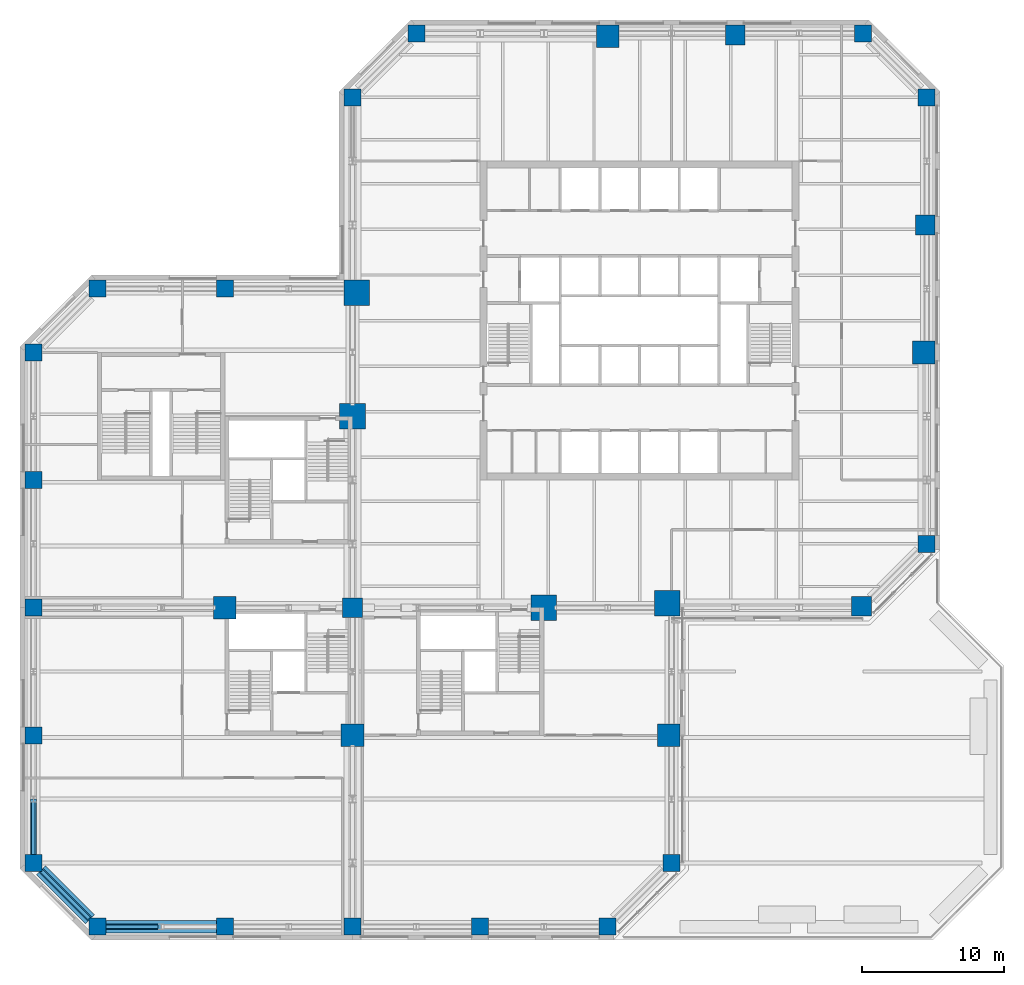
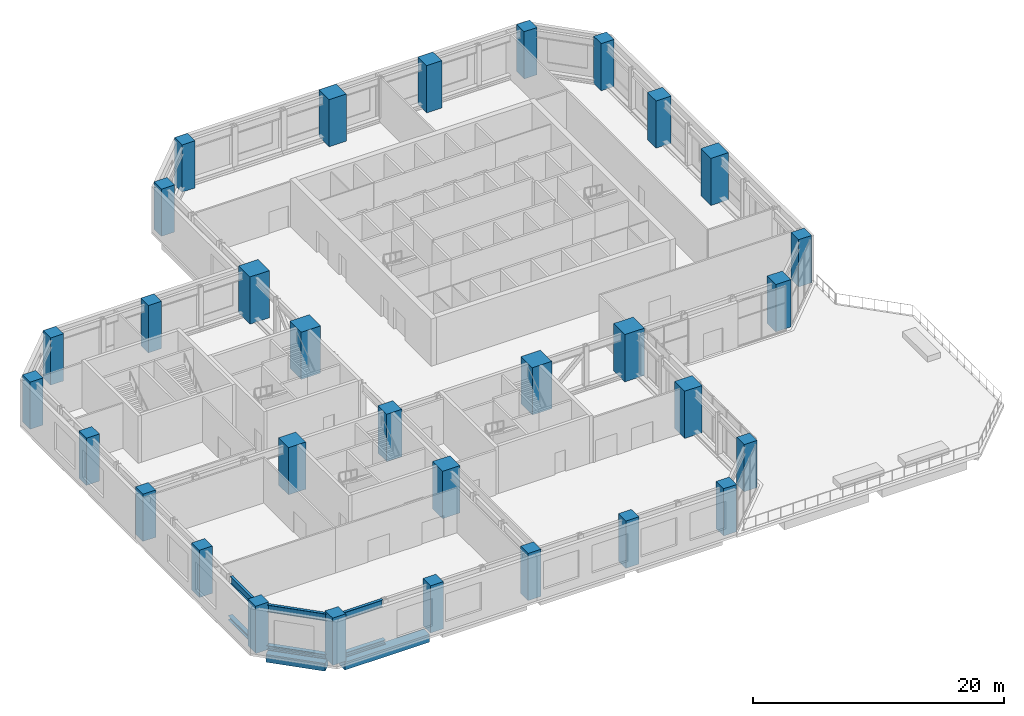
# One storey, part 1 of 21: 31 columns, 5 beams, 3 members.
"""IFC4 building model written with IfcOpenShell, lengths in metres."""

from ifc_helpers import new_model, si_unit, direction, frame, origin, origin_2d, place, context, subcontext, project, spatial, rectangle, i_section, extrude, material, material_profile, profile_set, type_object, element, save


model = new_model("IFC4")

# Units and contexts
model_context = context("Model", 3, precision=1e-05, world=origin(), true_north=direction((0.0, 1.0)))
body_context = subcontext(model_context, "Body", "Model", "MODEL_VIEW")
ifc_project = project(units=[si_unit("LENGTHUNIT", "METRE"), si_unit("AREAUNIT", "SQUARE_METRE"), si_unit("VOLUMEUNIT", "CUBIC_METRE"), si_unit("PLANEANGLEUNIT", "RADIAN"), si_unit("MASSUNIT", "GRAM", prefix="KILO")], contexts=[model_context])

# Site, building, storey
site_placement = place(None, origin())
site = spatial("IfcSite", under=ifc_project, at=site_placement, CompositionType="ELEMENT")
building_placement = place(site_placement, origin())
building = spatial("IfcBuilding", under=site, at=building_placement, Name="Quoin Convention Tower", CompositionType="ELEMENT")
storey_placement = place(building_placement, frame((0.0, 0.0, 18.5)))
storey = spatial("IfcBuildingStorey", under=building, at=storey_placement, Name="L03", CompositionType="ELEMENT", Elevation=18.5)

# Columns
ifc_material_1 = material(Name="Concrete C80", Category="concrete")
ifc_material_profile_1 = material_profile(ifc_material_1, rectangle(XDim=1.199951171875, YDim=1.199951171875, at=origin_2d()), Name="RC 1200x1200")
ifc_profile_set_1 = profile_set([ifc_material_profile_1], Name="Concrete C80")
column_type_1 = type_object("IfcColumnType", Name="RC 1200x1200 C80", PredefinedType="COLUMN", material=ifc_profile_set_1)
for number, where, z_axis, x_axis, name in (
    (1, (18.0, 18.0, 0.0), (0.0, 0.0, 1.0), (1.0, 0.0, 0.0), "col-L03-18000_18000"),
    (2, (27.0, 18.0, 0.0), (0.0, 0.0, 1.0), (1.0, 0.0, 0.0), "col-L03-27000_18000"),
    (3, (36.0, 18.0, 0.0), (0.0, 0.0, 1.0), (1.0, 0.0, 0.0), "col-L03-36000_18000"),
    (4, (45.0, 18.0, 0.0), (0.0, 0.0, 1.0), (1.0, 0.0, 0.0), "col-L03-45000_18000"),
    (5, (54.0, 18.0, 0.0), (0.0, 0.0, 1.0), (1.0, 0.0, 0.0), "col-L03-54000_18000"),
    (6, (13.5, 22.5, 0.0), (0.0, 0.0, 1.0), (1.0, 0.0, 0.0), "col-L03-13500_22500"),
    (7, (58.5, 22.5, 0.0), (0.0, 0.0, 1.0), (1.0, 0.0, 0.0), "col-L03-58500_22500"),
    (8, (13.5, 31.5, 0.0), (0.0, 0.0, 1.0), (1.0, 0.0, 0.0), "col-L03-13500_31500"),
    (9, (13.5, 40.5, 0.0), (0.0, 0.0, 1.0), (1.0, 0.0, 0.0), "col-L03-13500_40500"),
    (10, (76.5, 45.0, 0.0), (0.0, 0.0, 1.0), (1.0, 0.0, 0.0), "col-L03-76500_45000"),
    (11, (13.5, 49.5, 0.0), (0.0, 0.0, 1.0), (1.0, 0.0, 0.0), "col-L03-13500_49500"),
    (12, (13.5, 58.5, 0.0), (0.0, 0.0, 1.0), (1.0, 0.0, 0.0), "col-L03-13500_58500"),
    (13, (18.0, 63.0, 0.0), (0.0, 0.0, 1.0), (1.0, 0.0, 0.0), "col-L03-18000_63000"),
    (14, (27.0, 63.0, 0.0), (0.0, 0.0, 1.0), (1.0, 0.0, 0.0), "col-L03-27000_63000"),
    (15, (36.0, 76.5, 0.0), (0.0, 0.0, 1.0), (1.0, 0.0, 0.0), "col-L03-36000_76500"),
    (16, (76.5, 76.5, 0.0), (0.0, 0.0, 1.0), (1.0, 0.0, 0.0), "col-L03-76500_76500"),
    (17, (40.5, 81.0, 0.0), (0.0, 0.0, 1.0), (1.0, 0.0, 0.0), "col-L03-40500_81000"),
    (18, (72.0, 81.0, 0.0), (0.0, 0.0, 1.0), (1.0, 0.0, 0.0), "col-L03-72000_81000"),
):
    element("IfcColumn", number, at=place(storey_placement, frame(where, z_axis=z_axis, x_axis=x_axis)), inside=storey, type_object=column_type_1, Name=name, PredefinedType="COLUMN", context=body_context, shape_type="SweptSolid", body=[
        extrude(rectangle(XDim=1.199951171875, YDim=1.199951171875, at=origin_2d()), origin(), (0.0, 0.0, 1.0), 4.60009765625),
    ])
ifc_material_profile_2 = material_profile(ifc_material_1, rectangle(XDim=1.39990234375, YDim=1.39990234375, at=origin_2d()), Name="RC 1400x1400")
ifc_profile_set_2 = profile_set([ifc_material_profile_2], Name="Concrete C80")
column_type_2 = type_object("IfcColumnType", Name="RC 1400x1400 C80", PredefinedType="COLUMN", material=ifc_profile_set_2)
for number, where, z_axis, x_axis, name in (
    (19, (36.0, 40.5, 0.0), (0.0, 0.0, 1.0), (1.0, 0.0, 0.0), "web-L03-36000_40500"),
    (20, (71.89990234375, 40.60009765625, 0.0), (0.0, 0.0, 1.0), (1.0, 0.0, 0.0), "col-L03-72000_40500"),
    (21, (76.39990234375, 67.5, 0.0), (0.0, 0.0, 1.0), (1.0, 0.0, 0.0), "col-L03-76500_67500"),
    (22, (63.0, 80.89990234375, 0.0), (0.0, 0.0, 1.0), (1.0, 0.0, 0.0), "col-L03-63000_81000"),
):
    element("IfcColumn", number, at=place(storey_placement, frame(where, z_axis=z_axis, x_axis=x_axis)), inside=storey, type_object=column_type_2, Name=name, PredefinedType="COLUMN", context=body_context, shape_type="SweptSolid", body=[
        extrude(rectangle(XDim=1.39990234375, YDim=1.39990234375, at=origin_2d()), origin(), (0.0, 0.0, 1.0), 4.60009765625),
    ])
ifc_material_profile_3 = material_profile(ifc_material_1, rectangle(XDim=1.60009765625, YDim=1.60009765625, at=origin_2d()), Name="RC 1600x1600")
ifc_profile_set_3 = profile_set([ifc_material_profile_3], Name="Concrete C80")
column_type_3 = type_object("IfcColumnType", Name="RC 1600x1600 C80", PredefinedType="COLUMN", material=ifc_profile_set_3)
for number, where, z_axis, x_axis, name in (
    (23, (36.0, 31.5, 0.0), (0.0, 0.0, 1.0), (1.0, 0.0, 0.0), "web-L03-36000_31500"),
    (24, (58.300048828125, 31.5, 0.0), (0.0, 0.0, 1.0), (1.0, 0.0, 0.0), "col-L03-58500_31500"),
    (25, (27.0, 40.5, 0.0), (0.0, 0.0, 1.0), (1.0, 0.0, 0.0), "web-L03-27000_40500"),
    (26, (76.300048828125, 58.5, 0.0), (0.0, 0.0, 1.0), (1.0, 0.0, 0.0), "col-L03-76500_58500"),
    (27, (54.0, 80.800048828125, 0.0), (0.0, 0.0, 1.0), (1.0, 0.0, 0.0), "col-L03-54000_81000"),
):
    element("IfcColumn", number, at=place(storey_placement, frame(where, z_axis=z_axis, x_axis=x_axis)), inside=storey, type_object=column_type_3, Name=name, PredefinedType="COLUMN", context=body_context, shape_type="SweptSolid", body=[
        extrude(rectangle(XDim=1.60009765625, YDim=1.60009765625, at=origin_2d()), origin(), (0.0, 0.0, 1.0), 4.60009765625),
    ])
ifc_material_profile_4 = material_profile(ifc_material_1, rectangle(XDim=1.800048828125, YDim=1.800048828125, at=origin_2d()), Name="RC 1800x1800")
ifc_profile_set_4 = profile_set([ifc_material_profile_4], Name="Concrete C80")
column_type_4 = type_object("IfcColumnType", Name="RC 1800x1800 C80", PredefinedType="COLUMN", material=ifc_profile_set_4)
for number, where, z_axis, x_axis, name in (
    (28, (49.5, 40.5, 0.0), (0.0, 0.0, 1.0), (1.0, 0.0, 0.0), "web-L03-49500_40500"),
    (29, (58.199951171875, 40.800048828125, 0.0), (0.0, 0.0, 1.0), (1.0, 0.0, 0.0), "col-L03-58500_40500"),
    (30, (36.0, 54.0, 0.0), (0.0, 0.0, 1.0), (1.0, 0.0, 0.0), "web-L03-36000_54000"),
    (31, (36.300048828125, 62.699951171875, 0.0), (0.0, 0.0, 1.0), (1.0, 0.0, 0.0), "col-L03-36000_63000"),
):
    element("IfcColumn", number, at=place(storey_placement, frame(where, z_axis=z_axis, x_axis=x_axis)), inside=storey, type_object=column_type_4, Name=name, PredefinedType="COLUMN", context=body_context, shape_type="SweptSolid", body=[
        extrude(rectangle(XDim=1.800048828125, YDim=1.800048828125, at=origin_2d()), origin(), (0.0, 0.0, 1.0), 4.60009765625),
    ])

# Members
ifc_material_2 = material(Name="Steel Grade 300", Category="steel")
ifc_material_profile_5 = material_profile(ifc_material_2, i_section(OverallWidth=0.39990234375, OverallDepth=0.422119140625, WebThickness=0.028076171875, FlangeThickness=0.035888671875, at=origin_2d()), Name="400WC303")
ifc_profile_set_5 = profile_set([ifc_material_profile_5], Name="Steel Grade 300")
member_type = type_object("IfcMemberType", Name="400WC303", PredefinedType="CHORD", material=ifc_profile_set_5)
member_placement = place(storey_placement, frame((14.01513671875, 21.98486328125, 0.257080078125), z_axis=(0.707106781187, -0.707106781187, 0.0), x_axis=(0.707106781187, 0.707106781187, 0.0)))
element("IfcMember", 32, at=member_placement, inside=storey, type_object=member_type, Name="Transfer girder L03 bottom chord 13500_22500-18000_18000", PredefinedType="CHORD", context=body_context, shape_type="SweptSolid", body=[
    extrude(i_section(OverallWidth=0.39990234375, OverallDepth=0.422119140625, WebThickness=0.028076171875, FlangeThickness=0.035888671875, at=origin_2d()), origin(), (0.0, 0.0, 1.0), 4.906982421875),
])
for number, where, z_axis, x_axis, name in (
    (33, (18.60009765625, 18.0, 0.257080078125), (1.0, 0.0, 0.0), (0.0, 1.0, 0.0), "Transfer girder L03 bottom chord 18000_18000-22500_18000"),
    (34, (13.5, 27.0, 0.257080078125), (0.0, -1.0, 0.0), (1.0, 0.0, 0.0), "Transfer girder L03 bottom chord 13500_27000-13500_22500"),
):
    element("IfcMember", number, at=place(storey_placement, frame(where, z_axis=z_axis, x_axis=x_axis)), inside=storey, type_object=member_type, Name=name, PredefinedType="CHORD", context=body_context, shape_type="SweptSolid", body=[
        extrude(i_section(OverallWidth=0.39990234375, OverallDepth=0.422119140625, WebThickness=0.028076171875, FlangeThickness=0.035888671875, at=origin_2d()), origin(), (0.0, 0.0, 1.0), 3.89990234375),
    ])

# Beams
ifc_material_profile_6 = material_profile(ifc_material_2, i_section(OverallWidth=0.25, OverallDepth=0.699951171875, WebThickness=0.010009765625, FlangeThickness=0.02001953125, at=origin_2d()), Name="700WB130")
ifc_profile_set_6 = profile_set([ifc_material_profile_6], Name="Steel Grade 300")
beam_type_1 = type_object("IfcBeamType", Name="700WB130", PredefinedType="BEAM", material=ifc_profile_set_6)
beam_1_placement = place(storey_placement, frame((14.01513671875, 21.98486328125, 4.030029296875), z_axis=(0.707106781187, -0.707106781187, 0.0), x_axis=(0.707106781187, 0.707106781187, 0.0)))
element("IfcBeam", 35, at=beam_1_placement, inside=storey, type_object=beam_type_1, Name="Transfer girder L03 top chord 13500_22500-18000_18000", PredefinedType="BEAM", context=body_context, shape_type="SweptSolid", body=[
    extrude(i_section(OverallWidth=0.25, OverallDepth=0.699951171875, WebThickness=0.010009765625, FlangeThickness=0.02001953125, at=origin_2d()), origin(), (0.0, 0.0, 1.0), 4.906982421875),
])
for number, where, z_axis, x_axis, name in (
    (36, (18.60009765625, 18.0, 4.030029296875), (1.0, 0.0, 0.0), (0.0, 1.0, 0.0), "Transfer girder L03 top chord 18000_18000-22500_18000"),
    (37, (13.5, 26.800048828125, 4.030029296875), (0.0, -1.0, 0.0), (1.0, 0.0, 0.0), "Transfer girder L03 top chord 13500_27000-13500_22500"),
):
    element("IfcBeam", number, at=place(storey_placement, frame(where, z_axis=z_axis, x_axis=x_axis)), inside=storey, type_object=beam_type_1, Name=name, PredefinedType="BEAM", context=body_context, shape_type="SweptSolid", body=[
        extrude(i_section(OverallWidth=0.25, OverallDepth=0.699951171875, WebThickness=0.010009765625, FlangeThickness=0.02001953125, at=origin_2d()), origin(), (0.0, 0.0, 1.0), 3.699951171875),
    ])
ifc_material_profile_7 = material_profile(ifc_material_1, rectangle(XDim=0.89990234375, YDim=0.75, at=origin_2d()), Name="RC 900x750")
ifc_profile_set_7 = profile_set([ifc_material_profile_7], Name="Concrete C80")
beam_type_2 = type_object("IfcBeamType", Name="RC 900x750 C80", PredefinedType="SPANDREL", material=ifc_profile_set_7)
beam_2_placement = place(storey_placement, frame((14.01513671875, 21.98486328125, -0.594970703125), z_axis=(0.707106781187, -0.707106781187, 0.0), x_axis=(0.707106781187, 0.707106781187, 0.0)))
element("IfcBeam", 38, at=beam_2_placement, inside=storey, type_object=beam_type_2, Name="spd-L03-13500_22500-18000_18000", PredefinedType="SPANDREL", context=body_context, shape_type="SweptSolid", body=[
    extrude(rectangle(XDim=0.89990234375, YDim=0.75, at=origin_2d()), origin(), (0.0, 0.0, 1.0), 4.906982421875),
])
beam_3_placement = place(storey_placement, frame((18.60009765625, 18.0, -0.594970703125), z_axis=(1.0, 0.0, 0.0), x_axis=(0.0, 1.0, 0.0)))
element("IfcBeam", 39, at=beam_3_placement, inside=storey, type_object=beam_type_2, Name="spd-L03-18000_18000-27000_18000", PredefinedType="SPANDREL", context=body_context, shape_type="SweptSolid", body=[
    extrude(rectangle(XDim=0.89990234375, YDim=0.75, at=origin_2d()), origin(), (0.0, 0.0, 1.0), 7.7998046875),
])

save(model, "model.ifc")
